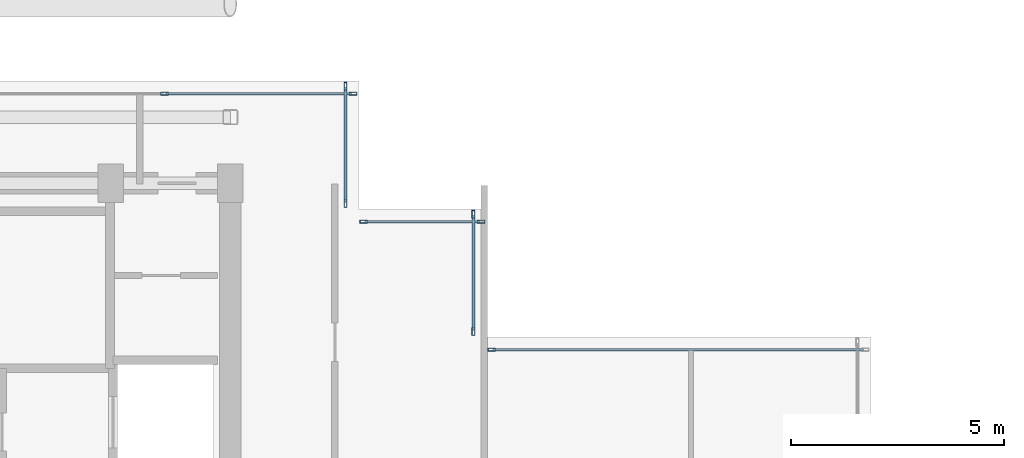
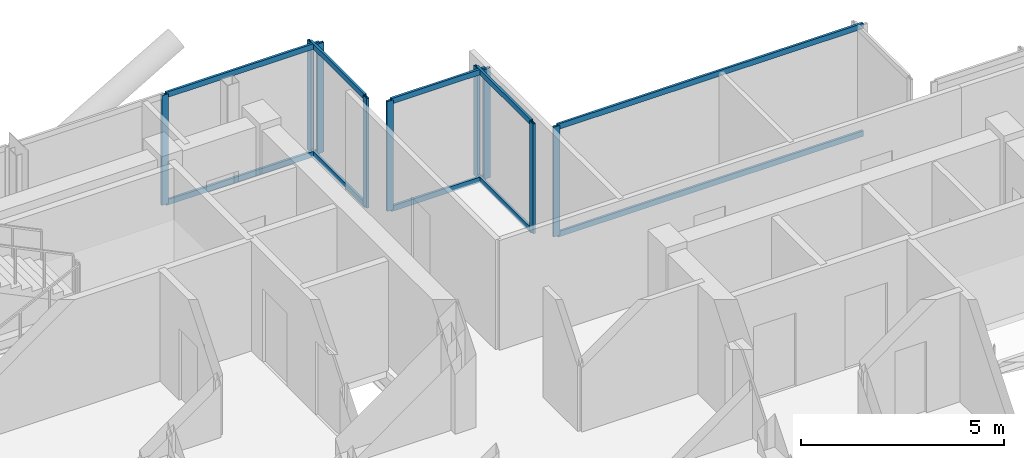
# One storey, part 10 of 18: 19 members, 5 elements without a shape of their own.
"""IFC4 building model written with IfcOpenShell, lengths in metres."""

from ifc_helpers import new_model, si_unit, direction, frame, origin, origin_2d, place, context, subcontext, project, spatial, hollow_rectangle, extrude, material, layer, layer_set, material_profile, profile_set, type_object, element, aggregate, save


model = new_model("IFC4")

# Units and contexts
model_context = context("Model", 3, precision=1e-05, world=origin(), true_north=direction((0.0, 1.0)))
body_context = subcontext(model_context, "Body", "Model", "MODEL_VIEW")
ifc_project = project(units=[si_unit("LENGTHUNIT", "METRE"), si_unit("AREAUNIT", "SQUARE_METRE"), si_unit("VOLUMEUNIT", "CUBIC_METRE"), si_unit("PLANEANGLEUNIT", "RADIAN"), si_unit("MASSUNIT", "GRAM", prefix="KILO"), si_unit("THERMODYNAMICTEMPERATUREUNIT", "KELVIN"), si_unit("POWERUNIT", "WATT")], contexts=[model_context])

# Site, building, storey
site_placement = place(None, origin())
site = spatial("IfcSite", under=ifc_project, at=site_placement, CompositionType="ELEMENT")
building_placement = place(site_placement, origin())
building = spatial("IfcBuilding", under=site, at=building_placement, Name="Svarakhadi Broadcast Tower", CompositionType="ELEMENT")
storey_placement = place(building_placement, frame((0.0, 0.0, 267.699951171875)))
storey = spatial("IfcBuildingStorey", under=building, at=storey_placement, Name="L67", CompositionType="ELEMENT", Elevation=267.699951171875)

# Curtain wall, members
ifc_material = material(Name="Anodised Bronze Aluminium AA 6063-T6", Category="aluminium")
ifc_layer = layer(ifc_material, 0.179931640625)
ifc_layer_set = layer_set([ifc_layer], Name="Anodised Bronze Aluminium AA 6063-T6")
curtain_wall_type = type_object("IfcCurtainWallType", Name="CW_Sys_05", PredefinedType="NOTDEFINED", material=ifc_layer_set)
curtain_wall_1_placement = place(storey_placement, origin())
curtain_wall_1 = element("IfcCurtainWall", 1, at=curtain_wall_1_placement, inside=storey, type_object=curtain_wall_type, Name="L67 Unitised Facade Curtain Wall 06", PredefinedType="NOTDEFINED")
ifc_material_profile_1 = material_profile(ifc_material, hollow_rectangle(XDim=0.070068359375, YDim=0.179931640625, WallThickness=0.005615234375, at=origin_2d()), Name="ALU MULLION 180x70x6")
ifc_profile_set_1 = profile_set([ifc_material_profile_1], Name="Anodised Bronze Aluminium AA 6063-T6")
member_type_1 = type_object("IfcMemberType", Name="CW_Sys_05_Mul", PredefinedType="MULLION", material=ifc_profile_set_1)
member_1_placement = place(storey_placement, frame((16.455078125, 29.699951171875, 0.0), z_axis=(0.0, 0.0, 1.0), x_axis=(0.0, 1.0, 0.0)))
member_1 = element("IfcMember", 2, at=member_1_placement, type_object=member_type_1, Name="CW-05 mullion 4", PredefinedType="MULLION", context=body_context, shape_type="SweptSolid", body=[
    extrude(hollow_rectangle(XDim=0.070068359375, YDim=0.179931640625, WallThickness=0.005615234375, at=origin_2d()), origin(), (0.0, 0.0, 1.0), 3.300048828125),
])
member_2_placement = place(storey_placement, frame((20.875, 29.699951171875, 0.0), z_axis=(0.0, 0.0, 1.0), x_axis=(0.0, 1.0, 0.0)))
member_2 = element("IfcMember", 3, at=member_2_placement, type_object=member_type_1, Name="CW-05 mullion 5", PredefinedType="MULLION", context=body_context, shape_type="SweptSolid", body=[
    extrude(hollow_rectangle(XDim=0.070068359375, YDim=0.179931640625, WallThickness=0.005615234375, at=origin_2d()), origin(), (0.0, 0.0, 1.0), 3.300048828125),
])

curtain_wall_2_placement = place(storey_placement, origin())
curtain_wall_2 = element("IfcCurtainWall", 4, at=curtain_wall_2_placement, inside=storey, type_object=curtain_wall_type, Name="L67 Unitised Facade Curtain Wall 07", PredefinedType="NOTDEFINED")
member_3_placement = place(storey_placement, frame((20.699951171875, 29.875, 0.0), z_axis=(0.0, 0.0, 1.0), x_axis=(1.0, 0.0, 0.0)))
member_3 = element("IfcMember", 5, at=member_3_placement, type_object=member_type_1, Name="CW-05 mullion 1", PredefinedType="MULLION", context=body_context, shape_type="SweptSolid", body=[
    extrude(hollow_rectangle(XDim=0.070068359375, YDim=0.179931640625, WallThickness=0.005615234375, at=origin_2d()), origin(), (0.0, 0.0, 1.0), 3.300048828125),
])
member_4_placement = place(storey_placement, frame((20.699951171875, 27.125, 0.0), z_axis=(0.0, 0.0, 1.0), x_axis=(1.0, 0.0, 0.0)))
member_4 = element("IfcMember", 6, at=member_4_placement, type_object=member_type_1, Name="CW-05 mullion 2", PredefinedType="MULLION", context=body_context, shape_type="SweptSolid", body=[
    extrude(hollow_rectangle(XDim=0.070068359375, YDim=0.179931640625, WallThickness=0.005615234375, at=origin_2d()), origin(), (0.0, 0.0, 1.0), 3.300048828125),
])

curtain_wall_3_placement = place(storey_placement, origin())
curtain_wall_3 = element("IfcCurtainWall", 7, at=curtain_wall_3_placement, inside=storey, type_object=curtain_wall_type, Name="L67 Unitised Facade Curtain Wall 08", PredefinedType="NOTDEFINED")
member_5_placement = place(storey_placement, frame((21.125, 26.699951171875, 0.0), z_axis=(0.0, 0.0, 1.0), x_axis=(0.0, 1.0, 0.0)))
member_5 = element("IfcMember", 8, at=member_5_placement, type_object=member_type_1, Name="CW-05 mullion 1", PredefinedType="MULLION", context=body_context, shape_type="SweptSolid", body=[
    extrude(hollow_rectangle(XDim=0.070068359375, YDim=0.179931640625, WallThickness=0.005615234375, at=origin_2d()), origin(), (0.0, 0.0, 1.0), 3.300048828125),
])
member_6_placement = place(storey_placement, frame((23.875, 26.699951171875, 0.0), z_axis=(0.0, 0.0, 1.0), x_axis=(0.0, 1.0, 0.0)))
member_6 = element("IfcMember", 9, at=member_6_placement, type_object=member_type_1, Name="CW-05 mullion 2", PredefinedType="MULLION", context=body_context, shape_type="SweptSolid", body=[
    extrude(hollow_rectangle(XDim=0.070068359375, YDim=0.179931640625, WallThickness=0.005615234375, at=origin_2d()), origin(), (0.0, 0.0, 1.0), 3.300048828125),
])

curtain_wall_4_placement = place(storey_placement, origin())
curtain_wall_4 = element("IfcCurtainWall", 10, at=curtain_wall_4_placement, inside=storey, type_object=curtain_wall_type, Name="L67 Unitised Facade Curtain Wall 09", PredefinedType="NOTDEFINED")
member_7_placement = place(storey_placement, frame((23.699951171875, 26.875, 0.0), z_axis=(0.0, 0.0, 1.0), x_axis=(1.0, 0.0, 0.0)))
member_7 = element("IfcMember", 11, at=member_7_placement, type_object=member_type_1, Name="CW-05 mullion 1", PredefinedType="MULLION", context=body_context, shape_type="SweptSolid", body=[
    extrude(hollow_rectangle(XDim=0.070068359375, YDim=0.179931640625, WallThickness=0.005615234375, at=origin_2d()), origin(), (0.0, 0.0, 1.0), 3.300048828125),
])
member_8_placement = place(storey_placement, frame((23.699951171875, 24.125, 0.0), z_axis=(0.0, 0.0, 1.0), x_axis=(1.0, 0.0, 0.0)))
member_8 = element("IfcMember", 12, at=member_8_placement, type_object=member_type_1, Name="CW-05 mullion 2", PredefinedType="MULLION", context=body_context, shape_type="SweptSolid", body=[
    extrude(hollow_rectangle(XDim=0.070068359375, YDim=0.179931640625, WallThickness=0.005615234375, at=origin_2d()), origin(), (0.0, 0.0, 1.0), 3.300048828125),
])

# Curtain wall, member
curtain_wall_5_placement = place(storey_placement, origin())
curtain_wall_5 = element("IfcCurtainWall", 13, at=curtain_wall_5_placement, inside=storey, type_object=curtain_wall_type, Name="L67 Unitised Facade Curtain Wall 10", PredefinedType="NOTDEFINED")
member_9_placement = place(storey_placement, frame((24.125, 23.699951171875, 0.0), z_axis=(0.0, 0.0, 1.0), x_axis=(0.0, 1.0, 0.0)))
member_9 = element("IfcMember", 14, at=member_9_placement, type_object=member_type_1, Name="CW-05 mullion 1", PredefinedType="MULLION", context=body_context, shape_type="SweptSolid", body=[
    extrude(hollow_rectangle(XDim=0.070068359375, YDim=0.179931640625, WallThickness=0.005615234375, at=origin_2d()), origin(), (0.0, 0.0, 1.0), 3.300048828125),
])

# Member
ifc_material_profile_2 = material_profile(ifc_material, hollow_rectangle(XDim=0.06494140625, YDim=0.1650390625, WallThickness=0.0048828125, at=origin_2d()), Name="ALU TRANSOM 165x65x5")
ifc_profile_set_2 = profile_set([ifc_material_profile_2], Name="Anodised Bronze Aluminium AA 6063-T6")
member_type_2 = type_object("IfcMemberType", Name="CW_Sys_05_Trn", PredefinedType="USERDEFINED", material=ifc_profile_set_2)
member_10_placement = place(storey_placement, frame((16.489990234375, 29.699951171875, 0.032470703125), z_axis=(1.0, 0.0, 0.0), x_axis=(0.0, 1.0, 0.0)))
member_10 = element("IfcMember", 15, at=member_10_placement, type_object=member_type_2, Name="CW-05 transom 4.1", ObjectType="TRANSOM", PredefinedType="USERDEFINED", context=body_context, shape_type="SweptSolid", body=[
    extrude(hollow_rectangle(XDim=0.06494140625, YDim=0.1650390625, WallThickness=0.0048828125, at=origin_2d()), origin(), (0.0, 0.0, 1.0), 4.35009765625),
])

member_11_placement = place(storey_placement, frame((16.489990234375, 29.699951171875, 3.267578125), z_axis=(1.0, 0.0, 0.0), x_axis=(0.0, 1.0, 0.0)))
member_11 = element("IfcMember", 16, at=member_11_placement, type_object=member_type_2, Name="CW-05 transom 4.2", ObjectType="TRANSOM", PredefinedType="USERDEFINED", context=body_context, shape_type="SweptSolid", body=[
    extrude(hollow_rectangle(XDim=0.06494140625, YDim=0.1650390625, WallThickness=0.0048828125, at=origin_2d()), origin(), (0.0, 0.0, 1.0), 4.35009765625),
])

aggregate(curtain_wall_1, [member_1, member_2, member_10, member_11])

member_12_placement = place(storey_placement, frame((20.699951171875, 29.840087890625, 0.032470703125), z_axis=(0.0, -1.0, 0.0), x_axis=(1.0, 0.0, 0.0)))
member_12 = element("IfcMember", 17, at=member_12_placement, type_object=member_type_2, Name="CW-05 transom 1.1", ObjectType="TRANSOM", PredefinedType="USERDEFINED", context=body_context, shape_type="SweptSolid", body=[
    extrude(hollow_rectangle(XDim=0.06494140625, YDim=0.1650390625, WallThickness=0.0048828125, at=origin_2d()), origin(), (0.0, 0.0, 1.0), 2.68017578125),
])

member_13_placement = place(storey_placement, frame((20.699951171875, 29.840087890625, 3.267578125), z_axis=(0.0, -1.0, 0.0), x_axis=(1.0, 0.0, 0.0)))
member_13 = element("IfcMember", 18, at=member_13_placement, type_object=member_type_2, Name="CW-05 transom 1.2", ObjectType="TRANSOM", PredefinedType="USERDEFINED", context=body_context, shape_type="SweptSolid", body=[
    extrude(hollow_rectangle(XDim=0.06494140625, YDim=0.1650390625, WallThickness=0.0048828125, at=origin_2d()), origin(), (0.0, 0.0, 1.0), 2.68017578125),
])

aggregate(curtain_wall_2, [member_3, member_4, member_12, member_13])

member_14_placement = place(storey_placement, frame((21.159912109375, 26.699951171875, 0.032470703125), z_axis=(1.0, 0.0, 0.0), x_axis=(0.0, 1.0, 0.0)))
member_14 = element("IfcMember", 19, at=member_14_placement, type_object=member_type_2, Name="CW-05 transom 1.1", ObjectType="TRANSOM", PredefinedType="USERDEFINED", context=body_context, shape_type="SweptSolid", body=[
    extrude(hollow_rectangle(XDim=0.06494140625, YDim=0.1650390625, WallThickness=0.0048828125, at=origin_2d()), origin(), (0.0, 0.0, 1.0), 2.68017578125),
])

member_15_placement = place(storey_placement, frame((21.159912109375, 26.699951171875, 3.267578125), z_axis=(1.0, 0.0, 0.0), x_axis=(0.0, 1.0, 0.0)))
member_15 = element("IfcMember", 20, at=member_15_placement, type_object=member_type_2, Name="CW-05 transom 1.2", ObjectType="TRANSOM", PredefinedType="USERDEFINED", context=body_context, shape_type="SweptSolid", body=[
    extrude(hollow_rectangle(XDim=0.06494140625, YDim=0.1650390625, WallThickness=0.0048828125, at=origin_2d()), origin(), (0.0, 0.0, 1.0), 2.68017578125),
])

aggregate(curtain_wall_3, [member_5, member_6, member_14, member_15])

member_16_placement = place(storey_placement, frame((23.699951171875, 26.840087890625, 0.032470703125), z_axis=(0.0, -1.0, 0.0), x_axis=(1.0, 0.0, 0.0)))
member_16 = element("IfcMember", 21, at=member_16_placement, type_object=member_type_2, Name="CW-05 transom 1.1", ObjectType="TRANSOM", PredefinedType="USERDEFINED", context=body_context, shape_type="SweptSolid", body=[
    extrude(hollow_rectangle(XDim=0.06494140625, YDim=0.1650390625, WallThickness=0.0048828125, at=origin_2d()), origin(), (0.0, 0.0, 1.0), 2.68017578125),
])

member_17_placement = place(storey_placement, frame((23.699951171875, 26.840087890625, 3.267578125), z_axis=(0.0, -1.0, 0.0), x_axis=(1.0, 0.0, 0.0)))
member_17 = element("IfcMember", 22, at=member_17_placement, type_object=member_type_2, Name="CW-05 transom 1.2", ObjectType="TRANSOM", PredefinedType="USERDEFINED", context=body_context, shape_type="SweptSolid", body=[
    extrude(hollow_rectangle(XDim=0.06494140625, YDim=0.1650390625, WallThickness=0.0048828125, at=origin_2d()), origin(), (0.0, 0.0, 1.0), 2.68017578125),
])

aggregate(curtain_wall_4, [member_7, member_8, member_16, member_17])

member_18_placement = place(storey_placement, frame((24.159912109375, 23.699951171875, 0.032470703125), z_axis=(1.0, 0.0, 0.0), x_axis=(0.0, 1.0, 0.0)))
member_18 = element("IfcMember", 23, at=member_18_placement, type_object=member_type_2, Name="CW-05 transom 1.1", ObjectType="TRANSOM", PredefinedType="USERDEFINED", context=body_context, shape_type="SweptSolid", body=[
    extrude(hollow_rectangle(XDim=0.06494140625, YDim=0.1650390625, WallThickness=0.0048828125, at=origin_2d()), origin(), (0.0, 0.0, 1.0), 8.68017578125),
])

member_19_placement = place(storey_placement, frame((24.159912109375, 23.699951171875, 3.267578125), z_axis=(1.0, 0.0, 0.0), x_axis=(0.0, 1.0, 0.0)))
member_19 = element("IfcMember", 24, at=member_19_placement, type_object=member_type_2, Name="CW-05 transom 1.2", ObjectType="TRANSOM", PredefinedType="USERDEFINED", context=body_context, shape_type="SweptSolid", body=[
    extrude(hollow_rectangle(XDim=0.06494140625, YDim=0.1650390625, WallThickness=0.0048828125, at=origin_2d()), origin(), (0.0, 0.0, 1.0), 8.68017578125),
])

aggregate(curtain_wall_5, [member_9, member_18, member_19])

save(model, "model.ifc")
